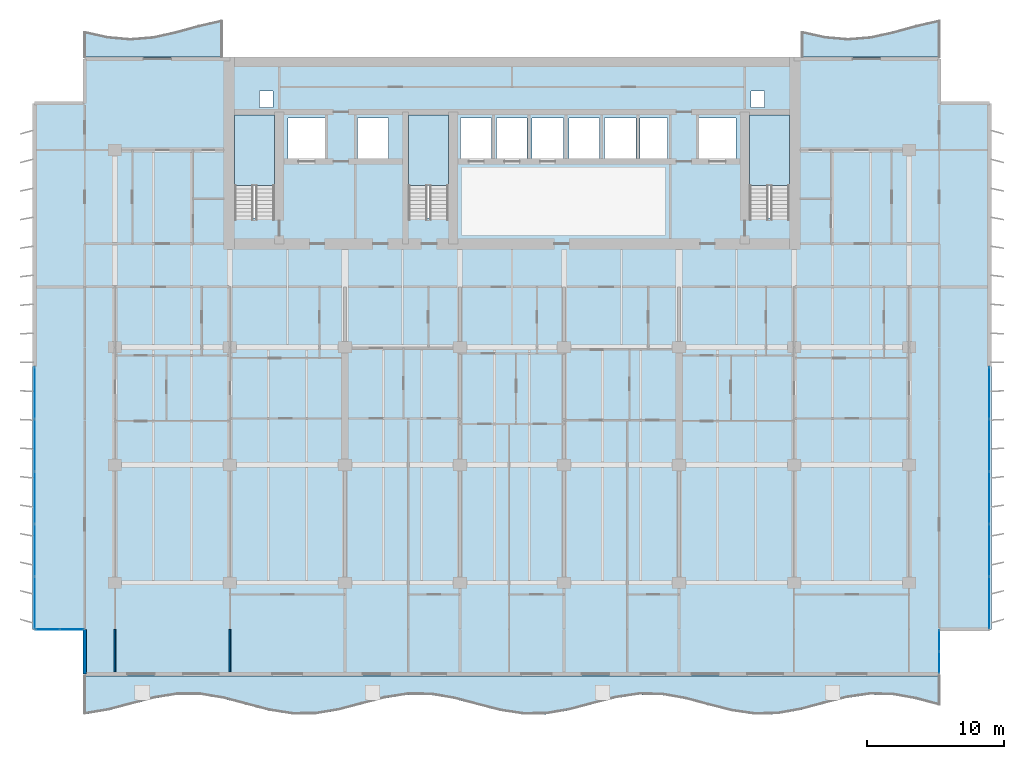
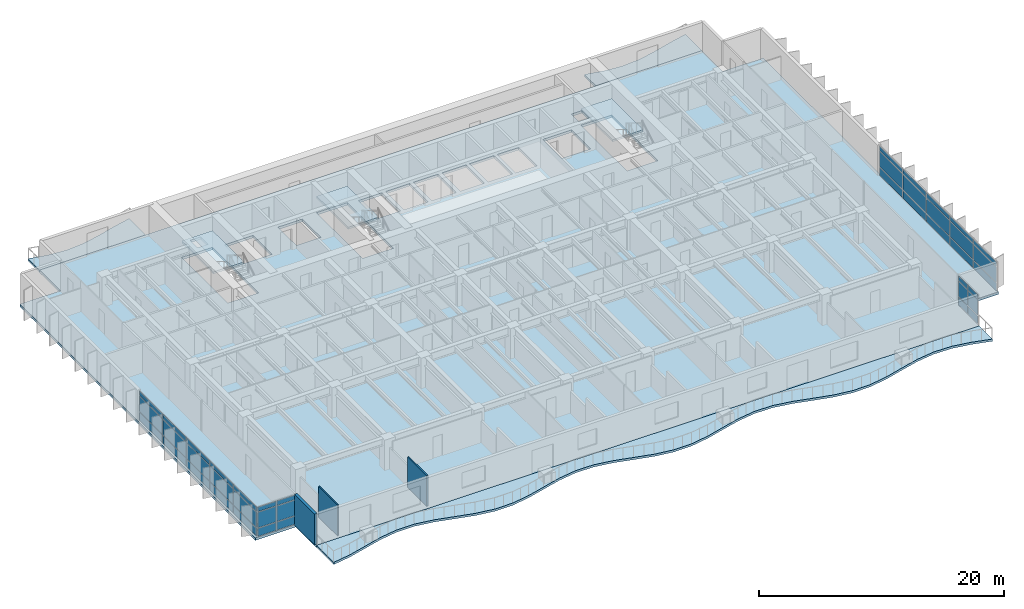
# One storey, part 5 of 19: 42 plates, 7 slabs, 3 walls, 7 elements without a shape of their own.
"""IFC4 building model written with IfcOpenShell, lengths in metres."""

from ifc_helpers import new_model, si_unit, direction, frame, frame_2d, origin, origin_2d, place, context, subcontext, project, spatial, polyline, rectangle, outline, extrude, material, layer, layer_set, type_object, element, aggregate, save


model = new_model("IFC4")

# Units and contexts
model_context = context("Model", 3, precision=1e-05, world=origin(), true_north=direction((0.0, 1.0)))
body_context = subcontext(model_context, "Body", "Model", "MODEL_VIEW")
ifc_project = project(units=[si_unit("LENGTHUNIT", "METRE"), si_unit("AREAUNIT", "SQUARE_METRE"), si_unit("VOLUMEUNIT", "CUBIC_METRE"), si_unit("PLANEANGLEUNIT", "RADIAN"), si_unit("MASSUNIT", "GRAM", prefix="KILO")], contexts=[model_context])

# Site, building, storey
site_placement = place(None, origin())
site = spatial("IfcSite", under=ifc_project, at=site_placement, CompositionType="ELEMENT")
building_placement = place(site_placement, origin())
building = spatial("IfcBuilding", under=site, at=building_placement, Name="Caelmar Bay Residences", CompositionType="ELEMENT")
storey_placement = place(building_placement, frame((0.0, 0.0, 91.199951171875)))
storey = spatial("IfcBuildingStorey", under=building, at=storey_placement, Name="L24", CompositionType="ELEMENT", Elevation=91.199951171875)

# Curtain wall, plates
ifc_material_1 = material(Name="Anodised bronze aluminium 6063-T6 and laminated glass", Category="aluminium")
ifc_layer_1 = layer(ifc_material_1, 0.179931640625)
ifc_layer_set_1 = layer_set([ifc_layer_1], Name="Anodised bronze aluminium 6063-T6 and laminated glass")
curtain_wall_type_1 = type_object("IfcCurtainWallType", Name="CW6-NTC", PredefinedType="NOTDEFINED", material=ifc_layer_set_1)
curtain_wall_1_placement = place(storey_placement, origin())
curtain_wall_1 = element("IfcCurtainWall", 1, at=curtain_wall_1_placement, inside=storey, type_object=curtain_wall_type_1, Name="CW6 curtain wall L24", PredefinedType="NOTDEFINED")
ifc_material_2 = material(Name="Bronze-tinted laminated low-E hurricane glass 28 mm", Category="glass")
ifc_layer_2 = layer(ifc_material_2, 0.028076171875)
ifc_layer_set_2 = layer_set([ifc_layer_2], Name="Bronze-tinted laminated low-E hurricane glass 28 mm")
plate_type = type_object("IfcPlateType", Name="CWP-GLZ28", PredefinedType="CURTAIN_PANEL", material=ifc_layer_set_2)
plate_1_placement = place(storey_placement, frame((4.982421875, 8.800048828125, 0.080078125), z_axis=(0.0, 0.0, 1.0), x_axis=(1.0, 0.0, 0.0)))
plate_1 = element("IfcPlate", 2, at=plate_1_placement, type_object=plate_type, Name="CW6 panel 1.1", PredefinedType="CURTAIN_PANEL", context=body_context, shape_type="SweptSolid", body=[
    extrude(rectangle(XDim=1.705078125, YDim=0.028076171875, at=origin_2d()), origin(), (0.0, 0.0, 1.0), 0.780029296875),
])
plate_2_placement = place(storey_placement, frame((4.982421875, 8.800048828125, 0.93994140625), z_axis=(0.0, 0.0, 1.0), x_axis=(1.0, 0.0, 0.0)))
plate_2 = element("IfcPlate", 3, at=plate_2_placement, type_object=plate_type, Name="CW6 panel 1.2", PredefinedType="CURTAIN_PANEL", context=body_context, shape_type="SweptSolid", body=[
    extrude(rectangle(XDim=1.705078125, YDim=0.028076171875, at=origin_2d()), origin(), (0.0, 0.0, 1.0), 1.52001953125),
])
plate_3_placement = place(storey_placement, frame((4.982421875, 8.800048828125, 2.5400390625), z_axis=(0.0, 0.0, 1.0), x_axis=(1.0, 0.0, 0.0)))
plate_3 = element("IfcPlate", 4, at=plate_3_placement, type_object=plate_type, Name="CW6 panel 1.3", PredefinedType="CURTAIN_PANEL", context=body_context, shape_type="SweptSolid", body=[
    extrude(rectangle(XDim=1.705078125, YDim=0.028076171875, at=origin_2d()), origin(), (0.0, 0.0, 1.0), 0.429931640625),
])
plate_4_placement = place(storey_placement, frame((6.767578125, 8.800048828125, 0.080078125), z_axis=(0.0, 0.0, 1.0), x_axis=(1.0, 0.0, 0.0)))
plate_4 = element("IfcPlate", 5, at=plate_4_placement, type_object=plate_type, Name="CW6 panel 2.1", PredefinedType="CURTAIN_PANEL", context=body_context, shape_type="SweptSolid", body=[
    extrude(rectangle(XDim=1.705078125, YDim=0.028076171875, at=origin_2d()), origin(), (0.0, 0.0, 1.0), 0.780029296875),
])
plate_5_placement = place(storey_placement, frame((6.767578125, 8.800048828125, 0.93994140625), z_axis=(0.0, 0.0, 1.0), x_axis=(1.0, 0.0, 0.0)))
plate_5 = element("IfcPlate", 6, at=plate_5_placement, type_object=plate_type, Name="CW6 panel 2.2", PredefinedType="CURTAIN_PANEL", context=body_context, shape_type="SweptSolid", body=[
    extrude(rectangle(XDim=1.705078125, YDim=0.028076171875, at=origin_2d()), origin(), (0.0, 0.0, 1.0), 1.52001953125),
])
plate_6_placement = place(storey_placement, frame((6.767578125, 8.800048828125, 2.5400390625), z_axis=(0.0, 0.0, 1.0), x_axis=(1.0, 0.0, 0.0)))
plate_6 = element("IfcPlate", 7, at=plate_6_placement, type_object=plate_type, Name="CW6 panel 2.3", PredefinedType="CURTAIN_PANEL", context=body_context, shape_type="SweptSolid", body=[
    extrude(rectangle(XDim=1.705078125, YDim=0.028076171875, at=origin_2d()), origin(), (0.0, 0.0, 1.0), 0.429931640625),
])
aggregate(curtain_wall_1, [plate_1, plate_2, plate_3, plate_4, plate_5, plate_6])

curtain_wall_2_placement = place(storey_placement, origin())
curtain_wall_2 = element("IfcCurtainWall", 8, at=curtain_wall_2_placement, inside=storey, type_object=curtain_wall_type_1, Name="CW6 curtain wall L24", PredefinedType="NOTDEFINED")
plate_7_placement = place(storey_placement, frame((70.10009765625, 6.382568359375, 0.080078125), z_axis=(0.0, 0.0, 1.0), x_axis=(0.0, 1.0, 0.0)))
plate_7 = element("IfcPlate", 9, at=plate_7_placement, type_object=plate_type, Name="CW6 panel 1.1", PredefinedType="CURTAIN_PANEL", context=body_context, shape_type="SweptSolid", body=[
    extrude(rectangle(XDim=1.5048828125, YDim=0.028076171875, at=origin_2d()), origin(), (0.0, 0.0, 1.0), 0.780029296875),
])
plate_8_placement = place(storey_placement, frame((70.10009765625, 6.382568359375, 0.93994140625), z_axis=(0.0, 0.0, 1.0), x_axis=(0.0, 1.0, 0.0)))
plate_8 = element("IfcPlate", 10, at=plate_8_placement, type_object=plate_type, Name="CW6 panel 1.2", PredefinedType="CURTAIN_PANEL", context=body_context, shape_type="SweptSolid", body=[
    extrude(rectangle(XDim=1.5048828125, YDim=0.028076171875, at=origin_2d()), origin(), (0.0, 0.0, 1.0), 1.52001953125),
])
plate_9_placement = place(storey_placement, frame((70.10009765625, 6.382568359375, 2.5400390625), z_axis=(0.0, 0.0, 1.0), x_axis=(0.0, 1.0, 0.0)))
plate_9 = element("IfcPlate", 11, at=plate_9_placement, type_object=plate_type, Name="CW6 panel 1.3", PredefinedType="CURTAIN_PANEL", context=body_context, shape_type="SweptSolid", body=[
    extrude(rectangle(XDim=1.5048828125, YDim=0.028076171875, at=origin_2d()), origin(), (0.0, 0.0, 1.0), 0.429931640625),
])
plate_10_placement = place(storey_placement, frame((70.10009765625, 7.967529296875, 0.080078125), z_axis=(0.0, 0.0, 1.0), x_axis=(0.0, 1.0, 0.0)))
plate_10 = element("IfcPlate", 12, at=plate_10_placement, type_object=plate_type, Name="CW6 panel 2.1", PredefinedType="CURTAIN_PANEL", context=body_context, shape_type="SweptSolid", body=[
    extrude(rectangle(XDim=1.5048828125, YDim=0.028076171875, at=origin_2d()), origin(), (0.0, 0.0, 1.0), 0.780029296875),
])
plate_11_placement = place(storey_placement, frame((70.10009765625, 7.967529296875, 0.93994140625), z_axis=(0.0, 0.0, 1.0), x_axis=(0.0, 1.0, 0.0)))
plate_11 = element("IfcPlate", 13, at=plate_11_placement, type_object=plate_type, Name="CW6 panel 2.2", PredefinedType="CURTAIN_PANEL", context=body_context, shape_type="SweptSolid", body=[
    extrude(rectangle(XDim=1.5048828125, YDim=0.028076171875, at=origin_2d()), origin(), (0.0, 0.0, 1.0), 1.52001953125),
])
plate_12_placement = place(storey_placement, frame((70.10009765625, 7.967529296875, 2.5400390625), z_axis=(0.0, 0.0, 1.0), x_axis=(0.0, 1.0, 0.0)))
plate_12 = element("IfcPlate", 14, at=plate_12_placement, type_object=plate_type, Name="CW6 panel 2.3", PredefinedType="CURTAIN_PANEL", context=body_context, shape_type="SweptSolid", body=[
    extrude(rectangle(XDim=1.5048828125, YDim=0.028076171875, at=origin_2d()), origin(), (0.0, 0.0, 1.0), 0.429931640625),
])
aggregate(curtain_wall_2, [plate_7, plate_8, plate_9, plate_10, plate_11, plate_12])

ifc_layer_3 = layer(ifc_material_1, 0.179931640625)
ifc_layer_set_3 = layer_set([ifc_layer_3], Name="Anodised bronze aluminium 6063-T6 and laminated glass")
curtain_wall_type_2 = type_object("IfcCurtainWallType", Name="CW3-Z2", PredefinedType="NOTDEFINED", material=ifc_layer_set_3)
curtain_wall_3_placement = place(storey_placement, origin())
curtain_wall_3 = element("IfcCurtainWall", 15, at=curtain_wall_3_placement, inside=storey, type_object=curtain_wall_type_2, Name="CW3 curtain wall L24", PredefinedType="NOTDEFINED")
plate_13_placement = place(storey_placement, frame((4.050048828125, 10.739990234375, 0.080078125), z_axis=(0.0, 0.0, 1.0), x_axis=(0.0, 1.0, 0.0)))
plate_13 = element("IfcPlate", 16, at=plate_13_placement, type_object=plate_type, Name="CW3 panel 1.1", PredefinedType="CURTAIN_PANEL", context=body_context, shape_type="SweptSolid", body=[
    extrude(rectangle(XDim=3.719970703125, YDim=0.028076171875, at=origin_2d()), origin(), (0.0, 0.0, 1.0), 0.780029296875),
])
plate_14_placement = place(storey_placement, frame((4.050048828125, 10.739990234375, 0.93994140625), z_axis=(0.0, 0.0, 1.0), x_axis=(0.0, 1.0, 0.0)))
plate_14 = element("IfcPlate", 17, at=plate_14_placement, type_object=plate_type, Name="CW3 panel 1.2", PredefinedType="CURTAIN_PANEL", context=body_context, shape_type="SweptSolid", body=[
    extrude(rectangle(XDim=3.719970703125, YDim=0.028076171875, at=origin_2d()), origin(), (0.0, 0.0, 1.0), 1.52001953125),
])
plate_15_placement = place(storey_placement, frame((4.050048828125, 10.739990234375, 2.5400390625), z_axis=(0.0, 0.0, 1.0), x_axis=(0.0, 1.0, 0.0)))
plate_15 = element("IfcPlate", 18, at=plate_15_placement, type_object=plate_type, Name="CW3 panel 1.3", PredefinedType="CURTAIN_PANEL", context=body_context, shape_type="SweptSolid", body=[
    extrude(rectangle(XDim=3.719970703125, YDim=0.028076171875, at=origin_2d()), origin(), (0.0, 0.0, 1.0), 0.429931640625),
])
plate_16_placement = place(storey_placement, frame((4.050048828125, 14.56005859375, 0.080078125), z_axis=(0.0, 0.0, 1.0), x_axis=(0.0, 1.0, 0.0)))
plate_16 = element("IfcPlate", 19, at=plate_16_placement, type_object=plate_type, Name="CW3 panel 2.1", PredefinedType="CURTAIN_PANEL", context=body_context, shape_type="SweptSolid", body=[
    extrude(rectangle(XDim=3.760009765625, YDim=0.028076171875, at=origin_2d()), origin(), (0.0, 0.0, 1.0), 0.780029296875),
])
plate_17_placement = place(storey_placement, frame((4.050048828125, 14.56005859375, 0.93994140625), z_axis=(0.0, 0.0, 1.0), x_axis=(0.0, 1.0, 0.0)))
plate_17 = element("IfcPlate", 20, at=plate_17_placement, type_object=plate_type, Name="CW3 panel 2.2", PredefinedType="CURTAIN_PANEL", context=body_context, shape_type="SweptSolid", body=[
    extrude(rectangle(XDim=3.760009765625, YDim=0.028076171875, at=origin_2d()), origin(), (0.0, 0.0, 1.0), 1.52001953125),
])
plate_18_placement = place(storey_placement, frame((4.050048828125, 14.56005859375, 2.5400390625), z_axis=(0.0, 0.0, 1.0), x_axis=(0.0, 1.0, 0.0)))
plate_18 = element("IfcPlate", 21, at=plate_18_placement, type_object=plate_type, Name="CW3 panel 2.3", PredefinedType="CURTAIN_PANEL", context=body_context, shape_type="SweptSolid", body=[
    extrude(rectangle(XDim=3.760009765625, YDim=0.028076171875, at=origin_2d()), origin(), (0.0, 0.0, 1.0), 0.429931640625),
])
plate_19_placement = place(storey_placement, frame((4.050048828125, 18.39990234375, 0.080078125), z_axis=(0.0, 0.0, 1.0), x_axis=(0.0, 1.0, 0.0)))
plate_19 = element("IfcPlate", 22, at=plate_19_placement, type_object=plate_type, Name="CW3 panel 3.1", PredefinedType="CURTAIN_PANEL", context=body_context, shape_type="SweptSolid", body=[
    extrude(rectangle(XDim=3.760009765625, YDim=0.028076171875, at=origin_2d()), origin(), (0.0, 0.0, 1.0), 0.780029296875),
])
plate_20_placement = place(storey_placement, frame((4.050048828125, 18.39990234375, 0.93994140625), z_axis=(0.0, 0.0, 1.0), x_axis=(0.0, 1.0, 0.0)))
plate_20 = element("IfcPlate", 23, at=plate_20_placement, type_object=plate_type, Name="CW3 panel 3.2", PredefinedType="CURTAIN_PANEL", context=body_context, shape_type="SweptSolid", body=[
    extrude(rectangle(XDim=3.760009765625, YDim=0.028076171875, at=origin_2d()), origin(), (0.0, 0.0, 1.0), 1.52001953125),
])
plate_21_placement = place(storey_placement, frame((4.050048828125, 18.39990234375, 2.5400390625), z_axis=(0.0, 0.0, 1.0), x_axis=(0.0, 1.0, 0.0)))
plate_21 = element("IfcPlate", 24, at=plate_21_placement, type_object=plate_type, Name="CW3 panel 3.3", PredefinedType="CURTAIN_PANEL", context=body_context, shape_type="SweptSolid", body=[
    extrude(rectangle(XDim=3.760009765625, YDim=0.028076171875, at=origin_2d()), origin(), (0.0, 0.0, 1.0), 0.429931640625),
])
plate_22_placement = place(storey_placement, frame((4.050048828125, 22.239990234375, 0.080078125), z_axis=(0.0, 0.0, 1.0), x_axis=(0.0, 1.0, 0.0)))
plate_22 = element("IfcPlate", 25, at=plate_22_placement, type_object=plate_type, Name="CW3 panel 4.1", PredefinedType="CURTAIN_PANEL", context=body_context, shape_type="SweptSolid", body=[
    extrude(rectangle(XDim=3.760009765625, YDim=0.028076171875, at=origin_2d()), origin(), (0.0, 0.0, 1.0), 0.780029296875),
])
plate_23_placement = place(storey_placement, frame((4.050048828125, 22.239990234375, 0.93994140625), z_axis=(0.0, 0.0, 1.0), x_axis=(0.0, 1.0, 0.0)))
plate_23 = element("IfcPlate", 26, at=plate_23_placement, type_object=plate_type, Name="CW3 panel 4.2", PredefinedType="CURTAIN_PANEL", context=body_context, shape_type="SweptSolid", body=[
    extrude(rectangle(XDim=3.760009765625, YDim=0.028076171875, at=origin_2d()), origin(), (0.0, 0.0, 1.0), 1.52001953125),
])
plate_24_placement = place(storey_placement, frame((4.050048828125, 22.239990234375, 2.5400390625), z_axis=(0.0, 0.0, 1.0), x_axis=(0.0, 1.0, 0.0)))
plate_24 = element("IfcPlate", 27, at=plate_24_placement, type_object=plate_type, Name="CW3 panel 4.3", PredefinedType="CURTAIN_PANEL", context=body_context, shape_type="SweptSolid", body=[
    extrude(rectangle(XDim=3.760009765625, YDim=0.028076171875, at=origin_2d()), origin(), (0.0, 0.0, 1.0), 0.429931640625),
])
plate_25_placement = place(storey_placement, frame((4.050048828125, 26.06005859375, 0.080078125), z_axis=(0.0, 0.0, 1.0), x_axis=(0.0, 1.0, 0.0)))
plate_25 = element("IfcPlate", 28, at=plate_25_placement, type_object=plate_type, Name="CW3 panel 5.1", PredefinedType="CURTAIN_PANEL", context=body_context, shape_type="SweptSolid", body=[
    extrude(rectangle(XDim=3.719970703125, YDim=0.028076171875, at=origin_2d()), origin(), (0.0, 0.0, 1.0), 0.780029296875),
])
plate_26_placement = place(storey_placement, frame((4.050048828125, 26.06005859375, 0.93994140625), z_axis=(0.0, 0.0, 1.0), x_axis=(0.0, 1.0, 0.0)))
plate_26 = element("IfcPlate", 29, at=plate_26_placement, type_object=plate_type, Name="CW3 panel 5.2", PredefinedType="CURTAIN_PANEL", context=body_context, shape_type="SweptSolid", body=[
    extrude(rectangle(XDim=3.719970703125, YDim=0.028076171875, at=origin_2d()), origin(), (0.0, 0.0, 1.0), 1.52001953125),
])
plate_27_placement = place(storey_placement, frame((4.050048828125, 26.06005859375, 2.5400390625), z_axis=(0.0, 0.0, 1.0), x_axis=(0.0, 1.0, 0.0)))
plate_27 = element("IfcPlate", 30, at=plate_27_placement, type_object=plate_type, Name="CW3 panel 5.3", PredefinedType="CURTAIN_PANEL", context=body_context, shape_type="SweptSolid", body=[
    extrude(rectangle(XDim=3.719970703125, YDim=0.028076171875, at=origin_2d()), origin(), (0.0, 0.0, 1.0), 0.429931640625),
])
aggregate(curtain_wall_3, [plate_13, plate_14, plate_15, plate_16, plate_17, plate_18, plate_19, plate_20, plate_21, plate_22, plate_23, plate_24, plate_25, plate_26, plate_27])

curtain_wall_4_placement = place(storey_placement, origin())
curtain_wall_4 = element("IfcCurtainWall", 31, at=curtain_wall_4_placement, inside=storey, type_object=curtain_wall_type_2, Name="CW3 curtain wall L24", PredefinedType="NOTDEFINED")
plate_28_placement = place(storey_placement, frame((73.75, 26.06005859375, 0.080078125), z_axis=(0.0, 0.0, 1.0), x_axis=(0.0, -1.0, 0.0)))
plate_28 = element("IfcPlate", 32, at=plate_28_placement, type_object=plate_type, Name="CW3 panel 1.1", PredefinedType="CURTAIN_PANEL", context=body_context, shape_type="SweptSolid", body=[
    extrude(rectangle(XDim=3.719970703125, YDim=0.028076171875, at=origin_2d()), origin(), (0.0, 0.0, 1.0), 0.780029296875),
])
plate_29_placement = place(storey_placement, frame((73.75, 26.06005859375, 0.93994140625), z_axis=(0.0, 0.0, 1.0), x_axis=(0.0, -1.0, 0.0)))
plate_29 = element("IfcPlate", 33, at=plate_29_placement, type_object=plate_type, Name="CW3 panel 1.2", PredefinedType="CURTAIN_PANEL", context=body_context, shape_type="SweptSolid", body=[
    extrude(rectangle(XDim=3.719970703125, YDim=0.028076171875, at=origin_2d()), origin(), (0.0, 0.0, 1.0), 1.52001953125),
])
plate_30_placement = place(storey_placement, frame((73.75, 26.06005859375, 2.5400390625), z_axis=(0.0, 0.0, 1.0), x_axis=(0.0, -1.0, 0.0)))
plate_30 = element("IfcPlate", 34, at=plate_30_placement, type_object=plate_type, Name="CW3 panel 1.3", PredefinedType="CURTAIN_PANEL", context=body_context, shape_type="SweptSolid", body=[
    extrude(rectangle(XDim=3.719970703125, YDim=0.028076171875, at=origin_2d()), origin(), (0.0, 0.0, 1.0), 0.429931640625),
])
plate_31_placement = place(storey_placement, frame((73.75, 22.239990234375, 0.080078125), z_axis=(0.0, 0.0, 1.0), x_axis=(0.0, -1.0, 0.0)))
plate_31 = element("IfcPlate", 35, at=plate_31_placement, type_object=plate_type, Name="CW3 panel 2.1", PredefinedType="CURTAIN_PANEL", context=body_context, shape_type="SweptSolid", body=[
    extrude(rectangle(XDim=3.760009765625, YDim=0.028076171875, at=origin_2d()), origin(), (0.0, 0.0, 1.0), 0.780029296875),
])
plate_32_placement = place(storey_placement, frame((73.75, 22.239990234375, 0.93994140625), z_axis=(0.0, 0.0, 1.0), x_axis=(0.0, -1.0, 0.0)))
plate_32 = element("IfcPlate", 36, at=plate_32_placement, type_object=plate_type, Name="CW3 panel 2.2", PredefinedType="CURTAIN_PANEL", context=body_context, shape_type="SweptSolid", body=[
    extrude(rectangle(XDim=3.760009765625, YDim=0.028076171875, at=origin_2d()), origin(), (0.0, 0.0, 1.0), 1.52001953125),
])
plate_33_placement = place(storey_placement, frame((73.75, 22.239990234375, 2.5400390625), z_axis=(0.0, 0.0, 1.0), x_axis=(0.0, -1.0, 0.0)))
plate_33 = element("IfcPlate", 37, at=plate_33_placement, type_object=plate_type, Name="CW3 panel 2.3", PredefinedType="CURTAIN_PANEL", context=body_context, shape_type="SweptSolid", body=[
    extrude(rectangle(XDim=3.760009765625, YDim=0.028076171875, at=origin_2d()), origin(), (0.0, 0.0, 1.0), 0.429931640625),
])
plate_34_placement = place(storey_placement, frame((73.75, 18.39990234375, 0.080078125), z_axis=(0.0, 0.0, 1.0), x_axis=(0.0, -1.0, 0.0)))
plate_34 = element("IfcPlate", 38, at=plate_34_placement, type_object=plate_type, Name="CW3 panel 3.1", PredefinedType="CURTAIN_PANEL", context=body_context, shape_type="SweptSolid", body=[
    extrude(rectangle(XDim=3.760009765625, YDim=0.028076171875, at=origin_2d()), origin(), (0.0, 0.0, 1.0), 0.780029296875),
])
plate_35_placement = place(storey_placement, frame((73.75, 18.39990234375, 0.93994140625), z_axis=(0.0, 0.0, 1.0), x_axis=(0.0, -1.0, 0.0)))
plate_35 = element("IfcPlate", 39, at=plate_35_placement, type_object=plate_type, Name="CW3 panel 3.2", PredefinedType="CURTAIN_PANEL", context=body_context, shape_type="SweptSolid", body=[
    extrude(rectangle(XDim=3.760009765625, YDim=0.028076171875, at=origin_2d()), origin(), (0.0, 0.0, 1.0), 1.52001953125),
])
plate_36_placement = place(storey_placement, frame((73.75, 18.39990234375, 2.5400390625), z_axis=(0.0, 0.0, 1.0), x_axis=(0.0, -1.0, 0.0)))
plate_36 = element("IfcPlate", 40, at=plate_36_placement, type_object=plate_type, Name="CW3 panel 3.3", PredefinedType="CURTAIN_PANEL", context=body_context, shape_type="SweptSolid", body=[
    extrude(rectangle(XDim=3.760009765625, YDim=0.028076171875, at=origin_2d()), origin(), (0.0, 0.0, 1.0), 0.429931640625),
])
plate_37_placement = place(storey_placement, frame((73.75, 14.56005859375, 0.080078125), z_axis=(0.0, 0.0, 1.0), x_axis=(0.0, -1.0, 0.0)))
plate_37 = element("IfcPlate", 41, at=plate_37_placement, type_object=plate_type, Name="CW3 panel 4.1", PredefinedType="CURTAIN_PANEL", context=body_context, shape_type="SweptSolid", body=[
    extrude(rectangle(XDim=3.760009765625, YDim=0.028076171875, at=origin_2d()), origin(), (0.0, 0.0, 1.0), 0.780029296875),
])
plate_38_placement = place(storey_placement, frame((73.75, 14.56005859375, 0.93994140625), z_axis=(0.0, 0.0, 1.0), x_axis=(0.0, -1.0, 0.0)))
plate_38 = element("IfcPlate", 42, at=plate_38_placement, type_object=plate_type, Name="CW3 panel 4.2", PredefinedType="CURTAIN_PANEL", context=body_context, shape_type="SweptSolid", body=[
    extrude(rectangle(XDim=3.760009765625, YDim=0.028076171875, at=origin_2d()), origin(), (0.0, 0.0, 1.0), 1.52001953125),
])
plate_39_placement = place(storey_placement, frame((73.75, 14.56005859375, 2.5400390625), z_axis=(0.0, 0.0, 1.0), x_axis=(0.0, -1.0, 0.0)))
plate_39 = element("IfcPlate", 43, at=plate_39_placement, type_object=plate_type, Name="CW3 panel 4.3", PredefinedType="CURTAIN_PANEL", context=body_context, shape_type="SweptSolid", body=[
    extrude(rectangle(XDim=3.760009765625, YDim=0.028076171875, at=origin_2d()), origin(), (0.0, 0.0, 1.0), 0.429931640625),
])
plate_40_placement = place(storey_placement, frame((73.75, 10.739990234375, 0.080078125), z_axis=(0.0, 0.0, 1.0), x_axis=(0.0, -1.0, 0.0)))
plate_40 = element("IfcPlate", 44, at=plate_40_placement, type_object=plate_type, Name="CW3 panel 5.1", PredefinedType="CURTAIN_PANEL", context=body_context, shape_type="SweptSolid", body=[
    extrude(rectangle(XDim=3.719970703125, YDim=0.028076171875, at=origin_2d()), origin(), (0.0, 0.0, 1.0), 0.780029296875),
])
plate_41_placement = place(storey_placement, frame((73.75, 10.739990234375, 0.93994140625), z_axis=(0.0, 0.0, 1.0), x_axis=(0.0, -1.0, 0.0)))
plate_41 = element("IfcPlate", 45, at=plate_41_placement, type_object=plate_type, Name="CW3 panel 5.2", PredefinedType="CURTAIN_PANEL", context=body_context, shape_type="SweptSolid", body=[
    extrude(rectangle(XDim=3.719970703125, YDim=0.028076171875, at=origin_2d()), origin(), (0.0, 0.0, 1.0), 1.52001953125),
])
plate_42_placement = place(storey_placement, frame((73.75, 10.739990234375, 2.5400390625), z_axis=(0.0, 0.0, 1.0), x_axis=(0.0, -1.0, 0.0)))
plate_42 = element("IfcPlate", 46, at=plate_42_placement, type_object=plate_type, Name="CW3 panel 5.3", PredefinedType="CURTAIN_PANEL", context=body_context, shape_type="SweptSolid", body=[
    extrude(rectangle(XDim=3.719970703125, YDim=0.028076171875, at=origin_2d()), origin(), (0.0, 0.0, 1.0), 0.429931640625),
])
aggregate(curtain_wall_4, [plate_28, plate_29, plate_30, plate_31, plate_32, plate_33, plate_34, plate_35, plate_36, plate_37, plate_38, plate_39, plate_40, plate_41, plate_42])

# Slabs
ifc_material_3 = material(Name="Concrete f'c 40 MPa (6,000 psi)", Category="concrete")
ifc_layer_4 = layer(ifc_material_3, 0.219970703125)
ifc_layer_set_4 = layer_set([ifc_layer_4], Name="Concrete f'c 40 MPa (6,000 psi)")
slab_type_1 = type_object("IfcSlabType", Name="SLB-BAL-220", PredefinedType="FLOOR", material=ifc_layer_set_4)
slab_1_placement = place(storey_placement, frame((0.0, 0.0, -0.219970703125)))
element("IfcSlab", 47, at=slab_1_placement, inside=storey, type_object=slab_type_1, Name="L24 Sinusoidal Tree-Balcony Slab south", PredefinedType="FLOOR", context=body_context, shape_type="SweptSolid", body=[
    extrude(outline(polyline([(7.699951171875, 2.586669921875), (9.386474609375, 2.860595703125), (11.072998046875, 3.3037109375), (12.759521484375, 3.745361328125), (14.44580078125, 4.015380859375), (16.13232421875, 4.010498046875), (17.81884765625, 3.73193359375), (19.50537109375, 3.287353515625), (21.19189453125, 2.847412109375), (22.87841796875, 2.581787109375), (24.56494140625, 2.592529296875), (26.25146484375, 2.87548828125), (27.937744140625, 3.32177734375), (29.624267578125, 3.759765625), (31.310791015625, 4.020751953125), (32.997314453125, 4.00439453125), (34.683837890625, 3.717041015625), (36.370361328125, 3.26904296875), (38.056884765625, 2.8330078125), (39.7431640625, 2.576904296875), (41.4296875, 2.598876953125), (43.1162109375, 2.890625), (44.802734375, 3.340087890625), (46.4892578125, 3.77392578125), (48.17578125, 4.025634765625), (49.8623046875, 3.997802734375), (51.548583984375, 3.70166015625), (53.235107421875, 3.2509765625), (54.921630859375, 2.819091796875), (56.608154296875, 2.572265625), (58.294677734375, 2.60546875), (59.981201171875, 2.906005859375), (61.66748046875, 3.358154296875), (63.35400390625, 3.7880859375), (65.04052734375, 4.030029296875), (66.72705078125, 3.9912109375), (68.41357421875, 3.686279296875), (70.10009765625, 3.23291015625), (70.10009765625, 5.39990234375), (7.699951171875, 5.39990234375), (7.699951171875, 2.586669921875)])), origin(), (0.0, 0.0, 1.0), 0.219970703125),
])
slab_2_placement = place(storey_placement, frame((0.0, 0.0, -0.219970703125)))
element("IfcSlab", 48, at=slab_2_placement, inside=storey, type_object=slab_type_1, Name="L24 Sinusoidal Tree-Balcony Slab north_west", PredefinedType="FLOOR", context=body_context, shape_type="SweptSolid", body=[
    extrude(outline(polyline([(7.699951171875, 50.60009765625), (17.699951171875, 50.60009765625), (17.699951171875, 53.293212890625), (16.033203125, 52.913818359375), (14.36669921875, 52.4541015625), (12.699951171875, 52.086669921875), (11.033203125, 51.949951171875), (9.36669921875, 52.095458984375), (7.699951171875, 52.46826171875), (7.699951171875, 50.60009765625)])), origin(), (0.0, 0.0, 1.0), 0.219970703125),
])
slab_3_placement = place(storey_placement, frame((0.0, 0.0, -0.219970703125)))
element("IfcSlab", 49, at=slab_3_placement, inside=storey, type_object=slab_type_1, Name="L24 Sinusoidal Tree-Balcony Slab north_east", PredefinedType="FLOOR", context=body_context, shape_type="SweptSolid", body=[
    extrude(outline(polyline([(60.10009765625, 50.60009765625), (70.10009765625, 50.60009765625), (70.10009765625, 53.293212890625), (68.433349609375, 52.913818359375), (66.7666015625, 52.4541015625), (65.10009765625, 52.086669921875), (63.433349609375, 51.949951171875), (61.7666015625, 52.095458984375), (60.10009765625, 52.46826171875), (60.10009765625, 50.60009765625)])), origin(), (0.0, 0.0, 1.0), 0.219970703125),
])

# Stair, slab
stair_type = type_object("IfcStairType", Name="ST-TYP-165", PredefinedType="HALF_TURN_STAIR", material=ifc_material_3)
stair_1_placement = place(storey_placement, origin())
stair_1 = element("IfcStair", 50, at=stair_1_placement, inside=storey, type_object=stair_type, Name="L24 West Smokeproof Exit Stair ST1", PredefinedType="HALF_TURN_STAIR")
ifc_layer_5 = layer(ifc_material_3, 0.199951171875)
ifc_layer_set_5 = layer_set([ifc_layer_5], Name="Concrete f'c 40 MPa (6,000 psi)")
slab_type_2 = type_object("IfcSlabType", Name="SLB-LND-200", PredefinedType="LANDING", material=ifc_layer_set_5)
slab_4_placement = place(storey_placement, frame((0.0, 0.0, 1.449951171875)))
slab_4 = element("IfcSlab", 51, at=slab_4_placement, type_object=slab_type_2, Name="ST1 landing 1", PredefinedType="LANDING", context=body_context, shape_type="SweptSolid", body=[
    extrude(outline(polyline([(21.550048828125, 41.219970703125), (21.550048828125, 46.35009765625), (18.64990234375, 46.35009765625), (18.64990234375, 41.219970703125), (21.550048828125, 41.219970703125)])), origin(), (0.0, 0.0, 1.0), 0.2001953125),
])
aggregate(stair_1, [slab_4])

stair_2_placement = place(storey_placement, origin())
stair_2 = element("IfcStair", 52, at=stair_2_placement, inside=storey, type_object=stair_type, Name="L24 East Smokeproof Exit Stair ST2", PredefinedType="HALF_TURN_STAIR")
slab_5_placement = place(storey_placement, frame((0.0, 0.0, 1.449951171875)))
slab_5 = element("IfcSlab", 53, at=slab_5_placement, type_object=slab_type_2, Name="ST2 landing 1", PredefinedType="LANDING", context=body_context, shape_type="SweptSolid", body=[
    extrude(outline(polyline([(59.14990234375, 41.219970703125), (59.14990234375, 46.35009765625), (56.25, 46.35009765625), (56.25, 41.219970703125), (59.14990234375, 41.219970703125)])), origin(), (0.0, 0.0, 1.0), 0.2001953125),
])
aggregate(stair_2, [slab_5])

stair_3_placement = place(storey_placement, origin())
stair_3 = element("IfcStair", 54, at=stair_3_placement, inside=storey, type_object=stair_type, Name="L24 Central Smokeproof Exit Stair ST3", PredefinedType="HALF_TURN_STAIR")
slab_6_placement = place(storey_placement, frame((0.0, 0.0, 1.449951171875)))
slab_6 = element("IfcSlab", 55, at=slab_6_placement, type_object=slab_type_2, Name="ST3 landing 1", PredefinedType="LANDING", context=body_context, shape_type="SweptSolid", body=[
    extrude(outline(polyline([(34.25, 41.219970703125), (34.25, 46.35009765625), (31.35009765625, 46.35009765625), (31.35009765625, 41.219970703125), (34.25, 41.219970703125)])), origin(), (0.0, 0.0, 1.0), 0.2001953125),
])
aggregate(stair_3, [slab_6])

# Slab
ifc_layer_6 = layer(ifc_material_3, 0.25)
ifc_layer_set_6 = layer_set([ifc_layer_6], Name="Concrete f'c 40 MPa (6,000 psi)")
slab_type_3 = type_object("IfcSlabType", Name="SLB-RES-250", PredefinedType="FLOOR", material=ifc_layer_set_6)
slab_7_placement = place(storey_placement, frame((0.0, 0.0, -0.25)))
element("IfcSlab", 56, at=slab_7_placement, inside=storey, type_object=slab_type_3, Name="L24 Structural Floor Slab", PredefinedType="FLOOR", context=body_context, shape_type="SweptSolid", body=[
    extrude(outline(polyline([(7.699951171875, 5.39990234375), (70.10009765625, 5.39990234375), (70.10009765625, 8.800048828125), (73.89990234375, 8.800048828125), (73.89990234375, 47.199951171875), (70.10009765625, 47.199951171875), (70.10009765625, 50.60009765625), (7.699951171875, 50.60009765625), (7.699951171875, 47.199951171875), (3.89990234375, 47.199951171875), (3.89990234375, 8.800048828125), (7.699951171875, 8.800048828125), (7.699951171875, 5.39990234375)]), holes=[polyline([(18.64990234375, 38.85009765625), (21.550048828125, 38.85009765625), (21.550048828125, 46.35009765625), (18.64990234375, 46.35009765625), (18.64990234375, 38.85009765625)]), polyline([(56.25, 38.85009765625), (59.14990234375, 38.85009765625), (59.14990234375, 46.35009765625), (56.25, 46.35009765625), (56.25, 38.85009765625)]), polyline([(31.35009765625, 38.85009765625), (34.25, 38.85009765625), (34.25, 46.35009765625), (31.35009765625, 46.35009765625), (31.35009765625, 38.85009765625)]), polyline([(22.550048828125, 43.050048828125), (25.25, 43.050048828125), (25.25, 46.14990234375), (22.550048828125, 46.14990234375), (22.550048828125, 43.050048828125)]), polyline([(52.550048828125, 43.050048828125), (55.25, 43.050048828125), (55.25, 46.14990234375), (52.550048828125, 46.14990234375), (52.550048828125, 43.050048828125)]), polyline([(35.14990234375, 43.14990234375), (37.39990234375, 43.14990234375), (37.39990234375, 46.14990234375), (35.14990234375, 46.14990234375), (35.14990234375, 43.14990234375)]), polyline([(37.75, 43.14990234375), (40.0, 43.14990234375), (40.0, 46.14990234375), (37.75, 46.14990234375), (37.75, 43.14990234375)]), polyline([(40.35009765625, 43.14990234375), (42.64990234375, 43.14990234375), (42.64990234375, 46.14990234375), (40.35009765625, 46.14990234375), (40.35009765625, 43.14990234375)]), polyline([(43.050048828125, 43.14990234375), (45.300048828125, 43.14990234375), (45.300048828125, 46.14990234375), (43.050048828125, 46.14990234375), (43.050048828125, 43.14990234375)]), polyline([(45.64990234375, 43.14990234375), (47.949951171875, 43.14990234375), (47.949951171875, 46.14990234375), (45.64990234375, 46.14990234375), (45.64990234375, 43.14990234375)]), polyline([(48.25, 43.14990234375), (50.25, 43.14990234375), (50.25, 46.14990234375), (48.25, 46.14990234375), (48.25, 43.14990234375)]), polyline([(27.60009765625, 43.14990234375), (29.89990234375, 43.14990234375), (29.89990234375, 46.14990234375), (27.60009765625, 46.14990234375), (27.60009765625, 43.14990234375)]), polyline([(20.449951171875, 46.89990234375), (21.449951171875, 46.89990234375), (21.449951171875, 48.10009765625), (20.449951171875, 48.10009765625), (20.449951171875, 46.89990234375)]), polyline([(56.35009765625, 46.89990234375), (57.35009765625, 46.89990234375), (57.35009765625, 48.10009765625), (56.35009765625, 48.10009765625), (56.35009765625, 46.89990234375)])]), origin(), (0.0, 0.0, 1.0), 0.25),
])

# Walls
ifc_material_4 = material(Name="Precast concrete f'c 40 MPa (6,000 psi)", Category="concrete")
ifc_layer_7 = layer(ifc_material_4, 0.25)
ifc_layer_set_7 = layer_set([ifc_layer_7], Name="Precast concrete f'c 40 MPa (6,000 psi)")
wall_type_1 = type_object("IfcWallType", Name="W-EXT-250", PredefinedType="ELEMENTEDWALL", material=ifc_layer_set_7)
wall_placement = place(storey_placement, frame((7.699951171875, 8.800048828125, 0.0), z_axis=(0.0, 0.0, 1.0), x_axis=(0.0, -1.0, 0.0)))
element("IfcWall", 57, at=wall_placement, inside=storey, type_object=wall_type_1, Name="L24 SW Notch Return Wall", PredefinedType="ELEMENTEDWALL", context=body_context, shape_type="SweptSolid", body=[
    extrude(rectangle(XDim=3.25, YDim=0.25, at=frame_2d((1.625, 0.0))), origin(), (0.0, 0.0, 1.0), 3.050048828125),
])
ifc_material_5 = material(Name="Acoustic metal-stud gypsum partition 120 mm")
ifc_layer_8 = layer(ifc_material_5, 0.1201171875)
ifc_layer_set_8 = layer_set([ifc_layer_8], Name="Acoustic metal-stud gypsum partition 120 mm")
wall_type_2 = type_object("IfcWallType", Name="W-PRT-120", PredefinedType="PARTITIONING", material=ifc_layer_set_8)
for number, where, z_axis, x_axis, name in (
    (58, (9.89990234375, 5.695068359375, 0.0), (0.0, 0.0, 1.0), (0.0, 1.0, 0.0), "L24 Partition Wall V008"),
    (59, (18.300048828125, 5.695068359375, 0.0), (0.0, 0.0, 1.0), (0.0, 1.0, 0.0), "L24 Partition Wall V019"),
):
    element("IfcWall", number, at=place(storey_placement, frame(where, z_axis=z_axis, x_axis=x_axis)), inside=storey, type_object=wall_type_2, Name=name, PredefinedType="PARTITIONING", context=body_context, shape_type="SweptSolid", body=[
        extrude(rectangle(XDim=3.10498046875, YDim=0.1201171875, at=frame_2d((1.552490234375, 0.0))), origin(), (0.0, 0.0, 1.0), 3.050048828125),
    ])

save(model, "model.ifc")
